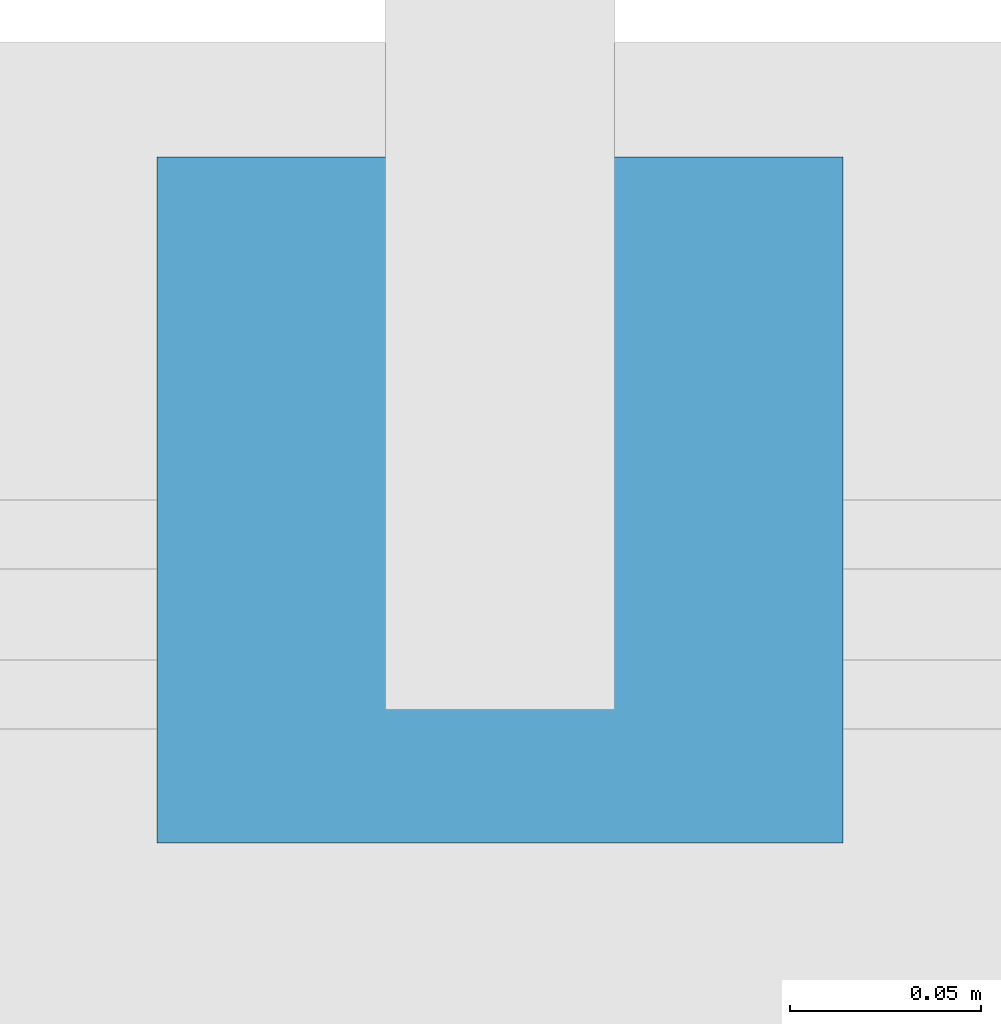
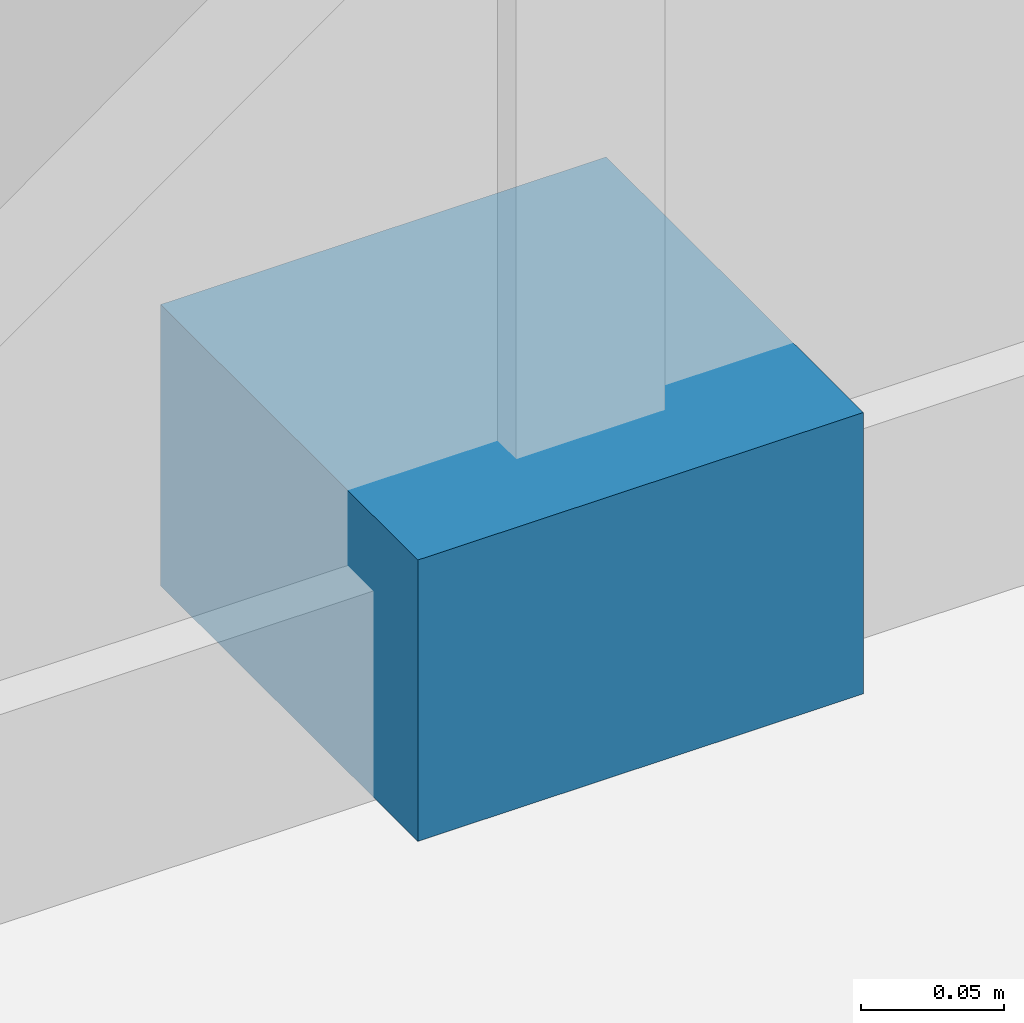
# One storey, part 51 of 61: 1 discrete accessory.
"""IFC4 building model written with IfcOpenShell, lengths in metres."""

import ifcopenshell
import ifcopenshell.guid

model = None  # the IFC model being written
_history = None  # IfcOwnerHistory: only IFC2X3 demands one
_inside = {}  # id of a spatial element -> (the spatial element, [elements in it])
_under = {}  # id of a project, library or spatial element -> (it, [spatial elements below it])
_declared = {}  # id of a project -> (the project, [libraries it declares])
_typed = {}  # id of a type object -> (the type object, [elements of that type])
_made_of = {}  # id of a material, layer set ... -> (it, [elements and type objects made of it])


def new_model(schema):
    """Start an empty IFC model of exactly this schema.

    Asked for "IFC4X3", IfcOpenShell would pick the latest addendum, in which some entities
    have other attributes; the version numbers below select the first issue.
    IFC2X3 requires an IfcOwnerHistory on every rooted entity: one is made here for all.
    """
    global model, _history
    if schema == "IFC4X3":
        model = ifcopenshell.file(schema_version=(4, 3, 0, 0))
    else:
        model = ifcopenshell.file(schema=schema)
    _inside.clear()
    _under.clear()
    _declared.clear()
    _typed.clear()
    _made_of.clear()
    _history = None
    if model.schema == "IFC2X3":
        org = make("IfcOrganization", Name="unknown")
        user = make(
            "IfcPersonAndOrganization",
            ThePerson=make("IfcPerson", FamilyName="unknown"),
            TheOrganization=org,
        )
        app = make(
            "IfcApplication",
            ApplicationDeveloper=org,
            Version="unknown",
            ApplicationFullName="unknown",
            ApplicationIdentifier="unknown",
        )
        _history = make(
            "IfcOwnerHistory",
            OwningUser=user,
            OwningApplication=app,
            ChangeAction="ADDED",
            CreationDate=0,
        )
    return model


def make(cls, **values):
    """One entity of the class cls with the attributes given. An attribute that is None is left unset."""
    return model.create_entity(
        cls, **{name: value for name, value in values.items() if value is not None}
    )


def rooted(cls, **values):
    """An entity with a GlobalId (a new one), such as an element, a storey or a relation."""
    return make(cls, GlobalId=ifcopenshell.guid.new(), OwnerHistory=_history, **values)


def si_unit(unit_type, name, prefix=None):
    """IfcSIUnit, for example si_unit("LENGTHUNIT", "METRE", prefix="MILLI")."""
    return make("IfcSIUnit", UnitType=unit_type, Prefix=prefix, Name=name)


def assignment(units):
    """IfcUnitAssignment: the units of a project."""
    return None if units is None else make("IfcUnitAssignment", Units=units)


def point(xyz):
    """IfcCartesianPoint."""
    return None if xyz is None else make("IfcCartesianPoint", Coordinates=xyz)


def direction(xyz):
    """IfcDirection."""
    return None if xyz is None else make("IfcDirection", DirectionRatios=xyz)


def frame(location, z_axis=None, x_axis=None):
    """IfcAxis2Placement3D, a coordinate frame: its origin and axes. An axis left out is left unset."""
    return make(
        "IfcAxis2Placement3D",
        Location=point(location),
        Axis=direction(z_axis),
        RefDirection=direction(x_axis),
    )


def frame_2d(location, x_axis=None):
    """IfcAxis2Placement2D, a coordinate frame in the plane: its origin and x axis."""
    return make(
        "IfcAxis2Placement2D", Location=point(location), RefDirection=direction(x_axis)
    )


def origin():
    """The frame at (0, 0, 0) with its axes left unset."""
    return frame((0.0, 0.0, 0.0))


def origin_2d():
    """The frame at (0, 0) in the plane with its x axis left unset."""
    return frame_2d((0.0, 0.0))


def place(relative_to, where):
    """IfcLocalPlacement: puts the frame where relative to a parent placement (None: the world)."""
    return make(
        "IfcLocalPlacement", PlacementRelTo=relative_to, RelativePlacement=where
    )


def context(
    kind, dimensions, precision=None, world=None, true_north=None, identifier=None
):
    """IfcGeometricRepresentationContext, for example the 3D "Model" context."""
    return make(
        "IfcGeometricRepresentationContext",
        ContextIdentifier=identifier,
        ContextType=kind,
        CoordinateSpaceDimension=dimensions,
        Precision=precision,
        WorldCoordinateSystem=world,
        TrueNorth=true_north,
    )


def subcontext(parent, identifier, kind, view, scale=None):
    """IfcGeometricRepresentationSubContext, for example "Body" below "Model"."""
    return make(
        "IfcGeometricRepresentationSubContext",
        ContextIdentifier=identifier,
        ContextType=kind,
        ParentContext=parent,
        TargetScale=scale,
        TargetView=view,
    )


def project(units=None, contexts=None):
    """IfcProject with its units and contexts."""
    return rooted(
        "IfcProject",
        Name="project",
        RepresentationContexts=contexts,
        UnitsInContext=assignment(units),
    )


def spatial(cls, under=None, at=None, **own):
    """A site, building, storey or space (cls), placed at a placement, below another one or the project."""
    s = rooted(cls, ObjectPlacement=at, **own)
    if under is not None:
        _under.setdefault(under.id(), (under, []))[1].append(s)
    return s


def profile(cls, at=None, kind="AREA", **sizes):
    """A parametric profile (cls). Its sizes go by their IFC names, for example OverallWidth=200.0."""
    return make(cls, ProfileType=kind, Position=at, **sizes)


def rectangle(**sizes):
    """IfcRectangleProfileDef."""
    return profile("IfcRectangleProfileDef", **sizes)


def extrude(swept, where, along, depth):
    """IfcExtrudedAreaSolid: the profile swept, set in the frame where, extruded along a direction by depth."""
    return make(
        "IfcExtrudedAreaSolid",
        SweptArea=swept,
        Position=where,
        ExtrudedDirection=direction(along),
        Depth=depth,
    )


def shape(context_of_items, identifier, shape_type, items):
    """IfcShapeRepresentation: the items that make up one representation, for example the "Body"."""
    return make(
        "IfcShapeRepresentation",
        ContextOfItems=context_of_items,
        RepresentationIdentifier=identifier,
        RepresentationType=shape_type,
        Items=items,
    )


def material(Name=None, Category=None):
    """IfcMaterial."""
    return make("IfcMaterial", Name=Name, Category=Category)


def made_of(thing, what):
    """Note that an element or type object is made of a material, layer set ...; save() writes the relation."""
    if what is not None:
        _made_of.setdefault(what.id(), (what, []))[1].append(thing)
    return thing


def type_object(cls, material=None, **own):
    """A type object (cls), such as IfcWallType, which elements share."""
    return made_of(rooted(cls, **own), material)


def element(
    cls,
    number,
    at=None,
    inside=None,
    cuts=None,
    type_object=None,
    material=None,
    context=None,
    identifier="Body",
    shape_type=None,
    held_by="IfcProductDefinitionShape",
    body=None,
    shapes=None,
    **own,
):
    """One element of the class cls, such as IfcWall. Its Tag is "e" and its number.

    at: its placement. inside: the storey or other place that contains it. cuts: it is an
    opening in that element (IfcRelVoidsElement). A single representation is given by context,
    identifier, shape_type and body (its items); several are given by shapes. held_by: the class
    of the entity that holds the representations. save() writes the other relations.
    """
    e = rooted(cls, Tag="e%d" % number, ObjectPlacement=at, **own)
    if body is not None:
        shapes = [shape(context, identifier, shape_type, body)]
    if shapes is not None:
        e.Representation = make(held_by, Representations=shapes)
    if inside is not None:
        _inside.setdefault(inside.id(), (inside, []))[1].append(e)
    if cuts is not None:
        rooted(
            "IfcRelVoidsElement", RelatingBuildingElement=cuts, RelatedOpeningElement=e
        )
    if type_object is not None:
        _typed.setdefault(type_object.id(), (type_object, []))[1].append(e)
    return made_of(e, material)


def aggregate(whole, parts):
    """IfcRelAggregates: a whole, such as a stair, and the parts it consists of."""
    return rooted("IfcRelAggregates", RelatingObject=whole, RelatedObjects=parts)


def save(model, path):
    """Write the relations noted so far, then the file.

    IfcRelAggregates (storeys below a building ...), IfcRelContainedInSpatialStructure (elements
    in a storey), IfcRelDefinesByType, IfcRelAssociatesMaterial and IfcRelDeclares: one each for
    every whole, place, type object, material and project.
    """
    for whole, parts in _under.values():
        aggregate(whole, parts)
    for where, things in _inside.values():
        rooted(
            "IfcRelContainedInSpatialStructure",
            RelatedElements=things,
            RelatingStructure=where,
        )
    for kind, things in _typed.values():
        rooted("IfcRelDefinesByType", RelatedObjects=things, RelatingType=kind)
    for what, things in _made_of.values():
        rooted("IfcRelAssociatesMaterial", RelatedObjects=things, RelatingMaterial=what)
    for by, libraries in _declared.values():
        rooted("IfcRelDeclares", RelatingContext=by, RelatedDefinitions=libraries)
    model.write(path)


model = new_model("IFC4")

# Units and contexts
model_context = context("Model", 3, precision=1e-05, world=origin(), true_north=direction((0.0, 1.0)))
body_context = subcontext(model_context, "Body", "Model", "MODEL_VIEW")
ifc_project = project(units=[si_unit("LENGTHUNIT", "METRE"), si_unit("AREAUNIT", "SQUARE_METRE"), si_unit("VOLUMEUNIT", "CUBIC_METRE"), si_unit("PLANEANGLEUNIT", "RADIAN"), si_unit("MASSUNIT", "GRAM", prefix="KILO")], contexts=[model_context])

# Site, building, storey
site_placement = place(None, origin())
site = spatial("IfcSite", under=ifc_project, at=site_placement, CompositionType="ELEMENT")
building_placement = place(site_placement, origin())
building = spatial("IfcBuilding", under=site, at=building_placement, Name="Vourika Railside Aquatics Centre", CompositionType="ELEMENT")
storey_placement = place(building_placement, frame((0.0, 0.0, 9.300048828125)))
storey = spatial("IfcBuildingStorey", under=building, at=storey_placement, Name="L02", CompositionType="ELEMENT", Elevation=9.300048828125)

# Discrete accessory
ifc_material = material(Name="Duplex stainless steel EN 1.4462", Category="steel")
discrete_accessory_type = type_object("IfcDiscreteAccessoryType", Name="ACC-BRK-180", PredefinedType="BRACKET", material=ifc_material)
discrete_accessory_placement = place(storey_placement, frame((132.14990234375, 116.030029296875, 0.0), z_axis=(0.0, 0.0, 1.0), x_axis=(0.0, 1.0, 0.0)))
element("IfcDiscreteAccessory", 1, at=discrete_accessory_placement, inside=storey, type_object=discrete_accessory_type, Name="Stainless Fin Shoe Bracket BK-093", PredefinedType="BRACKET", context=body_context, shape_type="SweptSolid", body=[
    extrude(rectangle(XDim=0.179931640625, YDim=0.179931640625, at=origin_2d()), origin(), (0.0, 0.0, 1.0), 0.1201171875),
])

save(model, "model.ifc")
